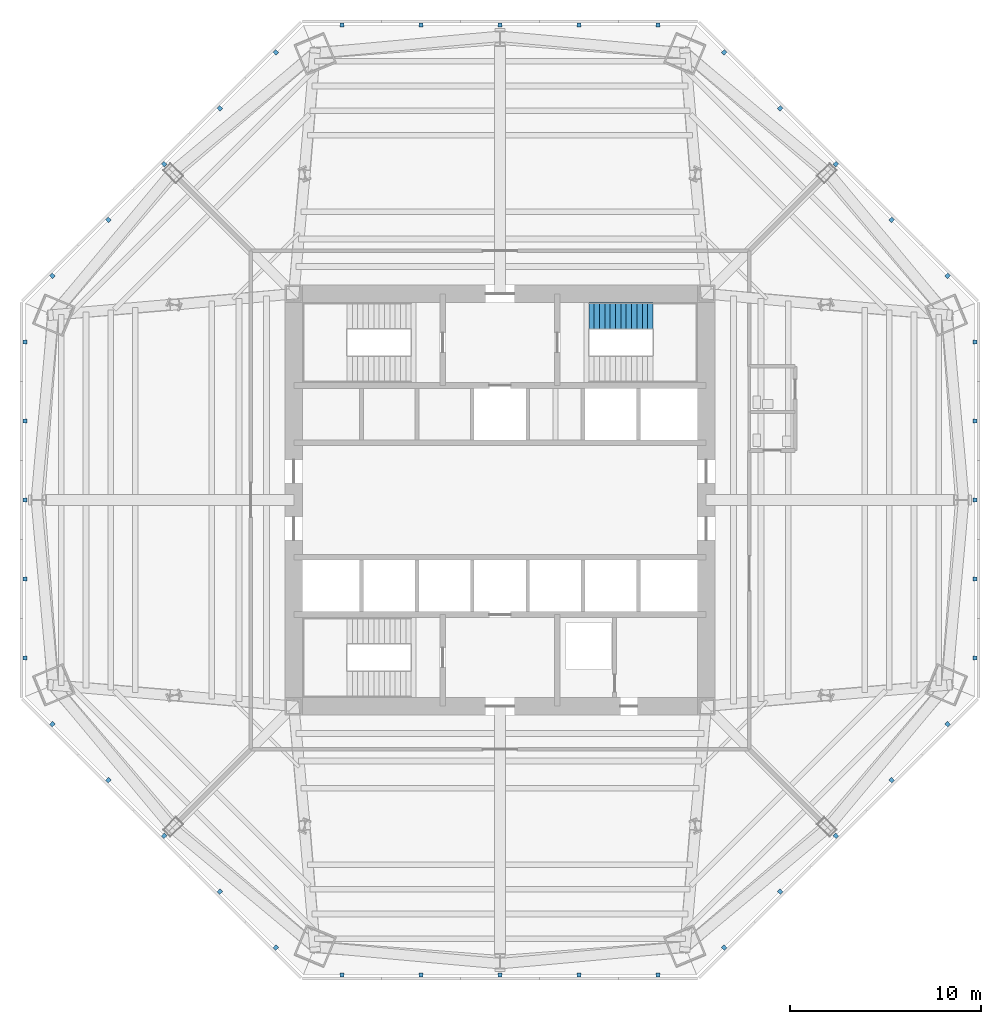
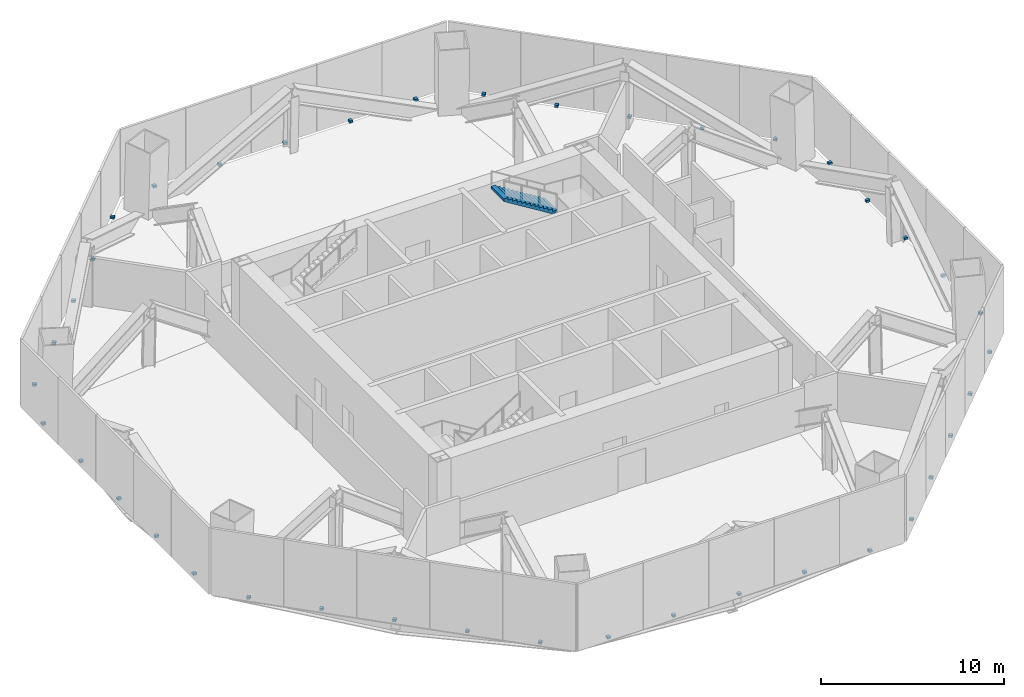
# One storey, part 6 of 9: 40 discrete accessories, 1 stair flight, 1 element without a shape of its own.
"""IFC4 building model written with IfcOpenShell, lengths in metres."""

import ifcopenshell
import ifcopenshell.guid

model = None  # the IFC model being written
_history = None  # IfcOwnerHistory: only IFC2X3 demands one
_inside = {}  # id of a spatial element -> (the spatial element, [elements in it])
_under = {}  # id of a project, library or spatial element -> (it, [spatial elements below it])
_declared = {}  # id of a project -> (the project, [libraries it declares])
_typed = {}  # id of a type object -> (the type object, [elements of that type])
_made_of = {}  # id of a material, layer set ... -> (it, [elements and type objects made of it])


def new_model(schema):
    """Start an empty IFC model of exactly this schema.

    Asked for "IFC4X3", IfcOpenShell would pick the latest addendum, in which some entities
    have other attributes; the version numbers below select the first issue.
    IFC2X3 requires an IfcOwnerHistory on every rooted entity: one is made here for all.
    """
    global model, _history
    if schema == "IFC4X3":
        model = ifcopenshell.file(schema_version=(4, 3, 0, 0))
    else:
        model = ifcopenshell.file(schema=schema)
    _inside.clear()
    _under.clear()
    _declared.clear()
    _typed.clear()
    _made_of.clear()
    _history = None
    if model.schema == "IFC2X3":
        org = make("IfcOrganization", Name="unknown")
        user = make(
            "IfcPersonAndOrganization",
            ThePerson=make("IfcPerson", FamilyName="unknown"),
            TheOrganization=org,
        )
        app = make(
            "IfcApplication",
            ApplicationDeveloper=org,
            Version="unknown",
            ApplicationFullName="unknown",
            ApplicationIdentifier="unknown",
        )
        _history = make(
            "IfcOwnerHistory",
            OwningUser=user,
            OwningApplication=app,
            ChangeAction="ADDED",
            CreationDate=0,
        )
    return model


def make(cls, **values):
    """One entity of the class cls with the attributes given. An attribute that is None is left unset."""
    return model.create_entity(
        cls, **{name: value for name, value in values.items() if value is not None}
    )


def rooted(cls, **values):
    """An entity with a GlobalId (a new one), such as an element, a storey or a relation."""
    return make(cls, GlobalId=ifcopenshell.guid.new(), OwnerHistory=_history, **values)


def si_unit(unit_type, name, prefix=None):
    """IfcSIUnit, for example si_unit("LENGTHUNIT", "METRE", prefix="MILLI")."""
    return make("IfcSIUnit", UnitType=unit_type, Prefix=prefix, Name=name)


def assignment(units):
    """IfcUnitAssignment: the units of a project."""
    return None if units is None else make("IfcUnitAssignment", Units=units)


def point(xyz):
    """IfcCartesianPoint."""
    return None if xyz is None else make("IfcCartesianPoint", Coordinates=xyz)


def direction(xyz):
    """IfcDirection."""
    return None if xyz is None else make("IfcDirection", DirectionRatios=xyz)


def frame(location, z_axis=None, x_axis=None):
    """IfcAxis2Placement3D, a coordinate frame: its origin and axes. An axis left out is left unset."""
    return make(
        "IfcAxis2Placement3D",
        Location=point(location),
        Axis=direction(z_axis),
        RefDirection=direction(x_axis),
    )


def frame_2d(location, x_axis=None):
    """IfcAxis2Placement2D, a coordinate frame in the plane: its origin and x axis."""
    return make(
        "IfcAxis2Placement2D", Location=point(location), RefDirection=direction(x_axis)
    )


def origin():
    """The frame at (0, 0, 0) with its axes left unset."""
    return frame((0.0, 0.0, 0.0))


def origin_2d():
    """The frame at (0, 0) in the plane with its x axis left unset."""
    return frame_2d((0.0, 0.0))


def place(relative_to, where):
    """IfcLocalPlacement: puts the frame where relative to a parent placement (None: the world)."""
    return make(
        "IfcLocalPlacement", PlacementRelTo=relative_to, RelativePlacement=where
    )


def context(
    kind, dimensions, precision=None, world=None, true_north=None, identifier=None
):
    """IfcGeometricRepresentationContext, for example the 3D "Model" context."""
    return make(
        "IfcGeometricRepresentationContext",
        ContextIdentifier=identifier,
        ContextType=kind,
        CoordinateSpaceDimension=dimensions,
        Precision=precision,
        WorldCoordinateSystem=world,
        TrueNorth=true_north,
    )


def subcontext(parent, identifier, kind, view, scale=None):
    """IfcGeometricRepresentationSubContext, for example "Body" below "Model"."""
    return make(
        "IfcGeometricRepresentationSubContext",
        ContextIdentifier=identifier,
        ContextType=kind,
        ParentContext=parent,
        TargetScale=scale,
        TargetView=view,
    )


def project(units=None, contexts=None):
    """IfcProject with its units and contexts."""
    return rooted(
        "IfcProject",
        Name="project",
        RepresentationContexts=contexts,
        UnitsInContext=assignment(units),
    )


def spatial(cls, under=None, at=None, **own):
    """A site, building, storey or space (cls), placed at a placement, below another one or the project."""
    s = rooted(cls, ObjectPlacement=at, **own)
    if under is not None:
        _under.setdefault(under.id(), (under, []))[1].append(s)
    return s


def polyline(points):
    """IfcPolyline through the points."""
    return make("IfcPolyline", Points=[point(p) for p in points])


def profile(cls, at=None, kind="AREA", **sizes):
    """A parametric profile (cls). Its sizes go by their IFC names, for example OverallWidth=200.0."""
    return make(cls, ProfileType=kind, Position=at, **sizes)


def rectangle(**sizes):
    """IfcRectangleProfileDef."""
    return profile("IfcRectangleProfileDef", **sizes)


def outline(outer, holes=None, kind="AREA"):
    """IfcArbitraryClosedProfileDef: a profile drawn as a closed curve; with holes, ...WithVoids."""
    if holes is None:
        return make("IfcArbitraryClosedProfileDef", ProfileType=kind, OuterCurve=outer)
    return make(
        "IfcArbitraryProfileDefWithVoids",
        ProfileType=kind,
        OuterCurve=outer,
        InnerCurves=holes,
    )


def extrude(swept, where, along, depth):
    """IfcExtrudedAreaSolid: the profile swept, set in the frame where, extruded along a direction by depth."""
    return make(
        "IfcExtrudedAreaSolid",
        SweptArea=swept,
        Position=where,
        ExtrudedDirection=direction(along),
        Depth=depth,
    )


def shape(context_of_items, identifier, shape_type, items):
    """IfcShapeRepresentation: the items that make up one representation, for example the "Body"."""
    return make(
        "IfcShapeRepresentation",
        ContextOfItems=context_of_items,
        RepresentationIdentifier=identifier,
        RepresentationType=shape_type,
        Items=items,
    )


def source(mapping_origin, context_of_items, identifier, shape_type, items):
    """IfcRepresentationMap: a shape defined once, which mapped items show again and again."""
    return make(
        "IfcRepresentationMap",
        MappingOrigin=mapping_origin,
        MappedRepresentation=shape(context_of_items, identifier, shape_type, items),
    )


def transform(
    local_origin,
    x_axis=None,
    y_axis=None,
    z_axis=None,
    scale=None,
    scale2=None,
    scale3=None,
    uniform=True,
):
    """IfcCartesianTransformationOperator3D, or its non-uniform kind. x_axis, y_axis, z_axis: its Axis1, 2, 3."""
    if uniform:
        return make(
            "IfcCartesianTransformationOperator3D",
            Axis1=direction(x_axis),
            Axis2=direction(y_axis),
            LocalOrigin=point(local_origin),
            Scale=scale,
            Axis3=direction(z_axis),
        )
    return make(
        "IfcCartesianTransformationOperator3DnonUniform",
        Axis1=direction(x_axis),
        Axis2=direction(y_axis),
        LocalOrigin=point(local_origin),
        Scale=scale,
        Axis3=direction(z_axis),
        Scale2=scale2,
        Scale3=scale3,
    )


def mapped(mapping_source, mapping_target):
    """IfcMappedItem: shows the shape of a source again, moved by a transform."""
    return make(
        "IfcMappedItem", MappingSource=mapping_source, MappingTarget=mapping_target
    )


def material(Name=None, Category=None):
    """IfcMaterial."""
    return make("IfcMaterial", Name=Name, Category=Category)


def made_of(thing, what):
    """Note that an element or type object is made of a material, layer set ...; save() writes the relation."""
    if what is not None:
        _made_of.setdefault(what.id(), (what, []))[1].append(thing)
    return thing


def type_object(cls, material=None, **own):
    """A type object (cls), such as IfcWallType, which elements share."""
    return made_of(rooted(cls, **own), material)


def type_shapes(of_type, sources):
    """Give a type object the sources (RepresentationMaps) that its elements show as mapped items."""
    of_type.RepresentationMaps = sources


def element(
    cls,
    number,
    at=None,
    inside=None,
    cuts=None,
    type_object=None,
    material=None,
    context=None,
    identifier="Body",
    shape_type=None,
    held_by="IfcProductDefinitionShape",
    body=None,
    shapes=None,
    **own,
):
    """One element of the class cls, such as IfcWall. Its Tag is "e" and its number.

    at: its placement. inside: the storey or other place that contains it. cuts: it is an
    opening in that element (IfcRelVoidsElement). A single representation is given by context,
    identifier, shape_type and body (its items); several are given by shapes. held_by: the class
    of the entity that holds the representations. save() writes the other relations.
    """
    e = rooted(cls, Tag="e%d" % number, ObjectPlacement=at, **own)
    if body is not None:
        shapes = [shape(context, identifier, shape_type, body)]
    if shapes is not None:
        e.Representation = make(held_by, Representations=shapes)
    if inside is not None:
        _inside.setdefault(inside.id(), (inside, []))[1].append(e)
    if cuts is not None:
        rooted(
            "IfcRelVoidsElement", RelatingBuildingElement=cuts, RelatedOpeningElement=e
        )
    if type_object is not None:
        _typed.setdefault(type_object.id(), (type_object, []))[1].append(e)
    return made_of(e, material)


def aggregate(whole, parts):
    """IfcRelAggregates: a whole, such as a stair, and the parts it consists of."""
    return rooted("IfcRelAggregates", RelatingObject=whole, RelatedObjects=parts)


def save(model, path):
    """Write the relations noted so far, then the file.

    IfcRelAggregates (storeys below a building ...), IfcRelContainedInSpatialStructure (elements
    in a storey), IfcRelDefinesByType, IfcRelAssociatesMaterial and IfcRelDeclares: one each for
    every whole, place, type object, material and project.
    """
    for whole, parts in _under.values():
        aggregate(whole, parts)
    for where, things in _inside.values():
        rooted(
            "IfcRelContainedInSpatialStructure",
            RelatedElements=things,
            RelatingStructure=where,
        )
    for kind, things in _typed.values():
        rooted("IfcRelDefinesByType", RelatedObjects=things, RelatingType=kind)
    for what, things in _made_of.values():
        rooted("IfcRelAssociatesMaterial", RelatedObjects=things, RelatingMaterial=what)
    for by, libraries in _declared.values():
        rooted("IfcRelDeclares", RelatingContext=by, RelatedDefinitions=libraries)
    model.write(path)


model = new_model("IFC4")

# Units and contexts
model_context = context("Model", 3, precision=1e-05, world=origin(), true_north=direction((0.0, 1.0)))
body_context = subcontext(model_context, "Body", "Model", "MODEL_VIEW")
ifc_project = project(units=[si_unit("LENGTHUNIT", "METRE"), si_unit("AREAUNIT", "SQUARE_METRE"), si_unit("VOLUMEUNIT", "CUBIC_METRE"), si_unit("PLANEANGLEUNIT", "RADIAN"), si_unit("MASSUNIT", "GRAM", prefix="KILO")], contexts=[model_context])

# Site, building, storey
site_placement = place(None, origin())
site = spatial("IfcSite", under=ifc_project, at=site_placement, CompositionType="ELEMENT")
building_placement = place(site_placement, origin())
building = spatial("IfcBuilding", under=site, at=building_placement, Name="Mashrafa Tower", CompositionType="ELEMENT")
storey_placement = place(building_placement, frame((0.0, 0.0, 104.39990234375)))
storey = spatial("IfcBuildingStorey", under=building, at=storey_placement, Name="L23", CompositionType="ELEMENT", Elevation=104.39990234375)

# Stair, stair flight
ifc_material_1 = material(Name="Exit stair 1400")
stair_type = type_object("IfcStairType", Name="Exit stair 1400", PredefinedType="HALF_TURN_STAIR", material=ifc_material_1)
stair_placement = place(storey_placement, origin())
stair = element("IfcStair", 1, at=stair_placement, inside=storey, type_object=stair_type, Name="Stair S2 L23", PredefinedType="HALF_TURN_STAIR")
ifc_material_2 = material(Name="Concrete C32/40", Category="concrete")
stair_flight_type = type_object("IfcStairFlightType", Name="Stair flight 1400", PredefinedType="STRAIGHT", material=ifc_material_2)
stair_flight_placement = place(storey_placement, frame((8.010009765625, 9.64990234375, 2.25), z_axis=(0.0, 0.0, 1.0), x_axis=(-1.0, 0.0, 0.0)))
stair_flight = element("IfcStairFlight", 2, at=stair_flight_placement, type_object=stair_flight_type, Name="S2 flight 2", NumberOfRisers=13, NumberOfTreads=12, PredefinedType="STRAIGHT", RiserHeight=0.173076923, TreadLength=0.28, context=body_context, shape_type="SweptSolid", body=[
    extrude(outline(polyline([(0.0, 0.0), (0.0, 0.173095703125), (0.280029296875, 0.173095703125), (0.280029296875, 0.34619140625), (0.56005859375, 0.34619140625), (0.56005859375, 0.519287109375), (0.840087890625, 0.519287109375), (0.840087890625, 0.6923828125), (1.1201171875, 0.6923828125), (1.1201171875, 0.865478515625), (1.39990234375, 0.865478515625), (1.39990234375, 1.03857421875), (1.679931640625, 1.03857421875), (1.679931640625, 1.21142578125), (1.9599609375, 1.21142578125), (1.9599609375, 1.384521484375), (2.239990234375, 1.384521484375), (2.239990234375, 1.5576171875), (2.52001953125, 1.5576171875), (2.52001953125, 1.730712890625), (2.800048828125, 1.730712890625), (2.800048828125, 1.90380859375), (3.080078125, 1.90380859375), (3.080078125, 2.076904296875), (3.360107421875, 2.076904296875), (3.360107421875, 2.25), (3.360107421875, 1.900634765625), (0.28515625, 0.0), (0.0, 0.0)])), frame((0.0, 0.699951171875, 0.0), z_axis=(0.0, -1.0, 0.0), x_axis=(1.0, 0.0, 0.0)), (0.0, 0.0, 1.0), 1.39990234375),
])
aggregate(stair, [stair_flight])

# Discrete accessories
ifc_material_3 = material(Name="Galvanised steel louvre bracket", Category="steel")
discrete_accessory_type = type_object("IfcDiscreteAccessoryType", Name="Louvre support bracket 200 x 150", PredefinedType="BRACKET", material=ifc_material_3)
shared_shape = source(origin(), body_context, "Body", "SweptSolid", [
    extrude(rectangle(XDim=0.199951171875, YDim=0.22509765625, at=origin_2d()), origin(), (0.0, 0.0, 1.0), 0.14990234375),
])
type_shapes(discrete_accessory_type, [shared_shape])
for number, where, z_axis, x_axis, name in (
    (3, (24.873779296875, -8.271728515625, 0.000244140625), (0.0, 0.0, 1.0), (0.0, 1.0, 0.0), "Louvre support bracket L23 east 1"),
    (4, (24.873779296875, -4.135986328125, 0.000244140625), (0.0, 0.0, 1.0), (0.0, 1.0, 0.0), "Louvre support bracket L23 east 2"),
    (5, (24.873779296875, 0.0, 0.000244140625), (0.0, 0.0, 1.0), (0.0, 1.0, 0.0), "Louvre support bracket L23 east 3"),
    (6, (24.873779296875, 4.135986328125, 0.000244140625), (0.0, 0.0, 1.0), (0.0, 1.0, 0.0), "Louvre support bracket L23 east 4"),
    (7, (24.873779296875, 8.271728515625, 0.000244140625), (0.0, 0.0, 1.0), (0.0, 1.0, 0.0), "Louvre support bracket L23 east 5"),
    (8, (23.4375, 11.739501953125, 0.000244140625), (0.0, 0.0, 1.0), (-0.707106781187, 0.707106781187, 0.0), "Louvre support bracket L23 north-east 1"),
    (9, (20.512939453125, 14.6640625, 0.000244140625), (0.0, 0.0, 1.0), (-0.707106781187, 0.707106781187, 0.0), "Louvre support bracket L23 north-east 2"),
    (10, (17.58837890625, 17.58837890625, 0.000244140625), (0.0, 0.0, 1.0), (-0.707106781187, 0.707106781187, 0.0), "Louvre support bracket L23 north-east 3"),
    (11, (14.6640625, 20.512939453125, 0.000244140625), (0.0, 0.0, 1.0), (-0.707106781187, 0.707106781187, 0.0), "Louvre support bracket L23 north-east 4"),
    (12, (11.739501953125, 23.4375, 0.000244140625), (0.0, 0.0, 1.0), (-0.707106781187, 0.707106781187, 0.0), "Louvre support bracket L23 north-east 5"),
    (13, (8.271728515625, 24.873779296875, 0.000244140625), (0.0, 0.0, 1.0), (-1.0, 0.0, 0.0), "Louvre support bracket L23 north 1"),
    (14, (4.135986328125, 24.873779296875, 0.000244140625), (0.0, 0.0, 1.0), (-1.0, 0.0, 0.0), "Louvre support bracket L23 north 2"),
    (15, (0.0, 24.873779296875, 0.000244140625), (0.0, 0.0, 1.0), (-1.0, 0.0, 0.0), "Louvre support bracket L23 north 3"),
    (16, (-4.135986328125, 24.873779296875, 0.000244140625), (0.0, 0.0, 1.0), (-1.0, 0.0, 0.0), "Louvre support bracket L23 north 4"),
    (17, (-8.271728515625, 24.873779296875, 0.000244140625), (0.0, 0.0, 1.0), (-1.0, 0.0, 0.0), "Louvre support bracket L23 north 5"),
    (18, (-11.739501953125, 23.4375, 0.000244140625), (0.0, 0.0, 1.0), (-0.707106781187, -0.707106781187, 0.0), "Louvre support bracket L23 north-west 1"),
    (19, (-14.6640625, 20.512939453125, 0.000244140625), (0.0, 0.0, 1.0), (-0.707106781187, -0.707106781187, 0.0), "Louvre support bracket L23 north-west 2"),
    (20, (-17.58837890625, 17.58837890625, 0.000244140625), (0.0, 0.0, 1.0), (-0.707106781187, -0.707106781187, 0.0), "Louvre support bracket L23 north-west 3"),
    (21, (-20.512939453125, 14.6640625, 0.000244140625), (0.0, 0.0, 1.0), (-0.707106781187, -0.707106781187, 0.0), "Louvre support bracket L23 north-west 4"),
    (22, (-23.4375, 11.739501953125, 0.000244140625), (0.0, 0.0, 1.0), (-0.707106781187, -0.707106781187, 0.0), "Louvre support bracket L23 north-west 5"),
    (23, (-24.873779296875, 8.271728515625, 0.000244140625), (0.0, 0.0, 1.0), (0.0, -1.0, 0.0), "Louvre support bracket L23 west 1"),
    (24, (-24.873779296875, 4.135986328125, 0.000244140625), (0.0, 0.0, 1.0), (0.0, -1.0, 0.0), "Louvre support bracket L23 west 2"),
    (25, (-24.873779296875, 0.0, 0.000244140625), (0.0, 0.0, 1.0), (0.0, -1.0, 0.0), "Louvre support bracket L23 west 3"),
    (26, (-24.873779296875, -4.135986328125, 0.000244140625), (0.0, 0.0, 1.0), (0.0, -1.0, 0.0), "Louvre support bracket L23 west 4"),
    (27, (-24.873779296875, -8.271728515625, 0.000244140625), (0.0, 0.0, 1.0), (0.0, -1.0, 0.0), "Louvre support bracket L23 west 5"),
    (28, (-23.4375, -11.739501953125, 0.000244140625), (0.0, 0.0, 1.0), (0.707106781187, -0.707106781187, 0.0), "Louvre support bracket L23 south-west 1"),
    (29, (-20.512939453125, -14.6640625, 0.000244140625), (0.0, 0.0, 1.0), (0.707106781187, -0.707106781187, 0.0), "Louvre support bracket L23 south-west 2"),
    (30, (-17.58837890625, -17.58837890625, 0.000244140625), (0.0, 0.0, 1.0), (0.707106781187, -0.707106781187, 0.0), "Louvre support bracket L23 south-west 3"),
    (31, (-14.6640625, -20.512939453125, 0.000244140625), (0.0, 0.0, 1.0), (0.707106781187, -0.707106781187, 0.0), "Louvre support bracket L23 south-west 4"),
    (32, (-11.739501953125, -23.4375, 0.000244140625), (0.0, 0.0, 1.0), (0.707106781187, -0.707106781187, 0.0), "Louvre support bracket L23 south-west 5"),
    (33, (-8.271728515625, -24.873779296875, 0.000244140625), (0.0, 0.0, 1.0), (1.0, 0.0, 0.0), "Louvre support bracket L23 south 1"),
    (34, (-4.135986328125, -24.873779296875, 0.000244140625), (0.0, 0.0, 1.0), (1.0, 0.0, 0.0), "Louvre support bracket L23 south 2"),
    (35, (0.0, -24.873779296875, 0.000244140625), (0.0, 0.0, 1.0), (1.0, 0.0, 0.0), "Louvre support bracket L23 south 3"),
    (36, (4.135986328125, -24.873779296875, 0.000244140625), (0.0, 0.0, 1.0), (1.0, 0.0, 0.0), "Louvre support bracket L23 south 4"),
    (37, (8.271728515625, -24.873779296875, 0.000244140625), (0.0, 0.0, 1.0), (1.0, 0.0, 0.0), "Louvre support bracket L23 south 5"),
    (38, (11.739501953125, -23.4375, 0.000244140625), (0.0, 0.0, 1.0), (0.707106781187, 0.707106781187, 0.0), "Louvre support bracket L23 south-east 1"),
    (39, (14.6640625, -20.512939453125, 0.000244140625), (0.0, 0.0, 1.0), (0.707106781187, 0.707106781187, 0.0), "Louvre support bracket L23 south-east 2"),
    (40, (17.58837890625, -17.58837890625, 0.000244140625), (0.0, 0.0, 1.0), (0.707106781187, 0.707106781187, 0.0), "Louvre support bracket L23 south-east 3"),
    (41, (20.512939453125, -14.6640625, 0.000244140625), (0.0, 0.0, 1.0), (0.707106781187, 0.707106781187, 0.0), "Louvre support bracket L23 south-east 4"),
    (42, (23.4375, -11.739501953125, 0.000244140625), (0.0, 0.0, 1.0), (0.707106781187, 0.707106781187, 0.0), "Louvre support bracket L23 south-east 5"),
):
    element("IfcDiscreteAccessory", number, at=place(storey_placement, frame(where, z_axis=z_axis, x_axis=x_axis)), inside=storey, type_object=discrete_accessory_type, Name=name, PredefinedType="BRACKET", context=body_context, shape_type="MappedRepresentation", body=[
        mapped(shared_shape, transform((0.0, 0.0, 0.0))),
    ])

save(model, "model.ifc")
